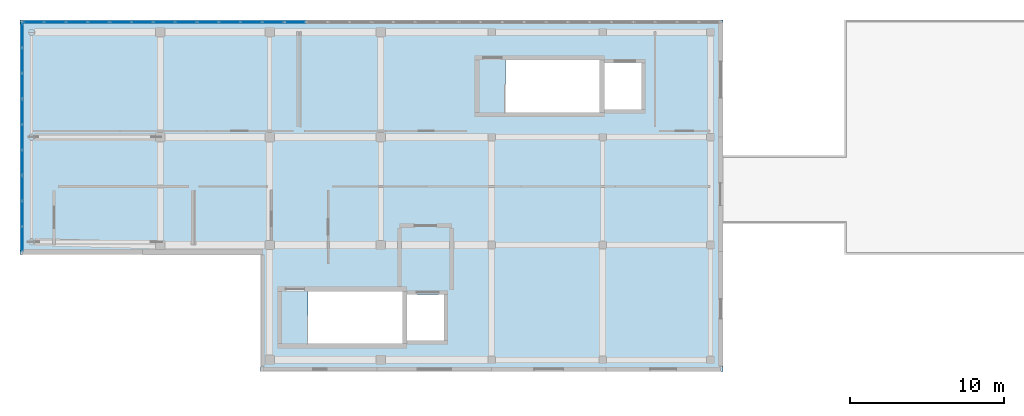
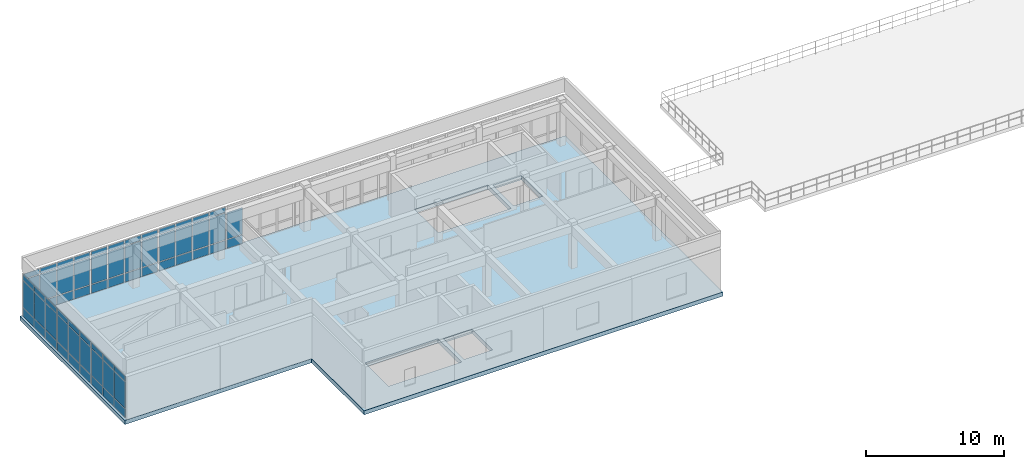
# One storey, part 11 of 14: 65 plates, 1 slab, 7 elements without a shape of their own.
"""IFC4 building model written with IfcOpenShell, lengths in metres."""

from ifc_helpers import new_model, si_unit, direction, frame, origin, origin_2d, place, context, subcontext, project, spatial, polyline, rectangle, outline, extrude, material, layer, layer_set, type_object, element, aggregate, save


model = new_model("IFC4")

# Units and contexts
model_context = context("Model", 3, precision=1e-05, world=origin(), true_north=direction((0.0, 1.0)))
body_context = subcontext(model_context, "Body", "Model", "MODEL_VIEW")
ifc_project = project(units=[si_unit("LENGTHUNIT", "METRE"), si_unit("AREAUNIT", "SQUARE_METRE"), si_unit("VOLUMEUNIT", "CUBIC_METRE"), si_unit("PLANEANGLEUNIT", "RADIAN"), si_unit("MASSUNIT", "GRAM", prefix="KILO")], contexts=[model_context])

# Site, building, storey
site_placement = place(None, origin())
site = spatial("IfcSite", under=ifc_project, at=site_placement, CompositionType="ELEMENT")
building_placement = place(site_placement, origin())
building = spatial("IfcBuilding", under=site, at=building_placement, Name="Valcora Specialist Clinic", CompositionType="ELEMENT")
storey_placement = place(building_placement, frame((0.0, 0.0, 21.760009765625)))
storey = spatial("IfcBuildingStorey", under=building, at=storey_placement, Name="L05", CompositionType="ELEMENT", Elevation=21.760009765625)

# Curtain wall, plates
ifc_material_1 = material(Name="Anodized Bronze Aluminium 6063-T6", Category="aluminium")
ifc_layer_1 = layer(ifc_material_1, 0.175048828125)
ifc_layer_set_1 = layer_set([ifc_layer_1], Name="Anodized Bronze Aluminium 6063-T6")
curtain_wall_type = type_object("IfcCurtainWallType", Name="TY-CW-V5F15", PredefinedType="NOTDEFINED", material=ifc_layer_set_1)
curtain_wall_1_placement = place(storey_placement, origin())
curtain_wall_1 = element("IfcCurtainWall", 1, at=curtain_wall_1_placement, inside=storey, type_object=curtain_wall_type, Name="Curtain wall CW-L05-176", PredefinedType="NOTDEFINED")
ifc_material_2 = material(Name="Low-E Laminated Insulating Glass", Category="glass")
ifc_layer_2 = layer(ifc_material_2, 0.028076171875)
ifc_layer_set_2 = layer_set([ifc_layer_2], Name="Low-E Laminated Insulating Glass")
plate_type_1 = type_object("IfcPlateType", Name="TY-CWP-GLZ28", PredefinedType="CURTAIN_PANEL", material=ifc_layer_set_2)
plate_1_placement = place(storey_placement, frame((0.14990234375, 13.560791015625, 0.88232421875), z_axis=(0.0, 0.0, 1.0), x_axis=(0.0, 1.0, 0.0)))
plate_1 = element("IfcPlate", 2, at=plate_1_placement, type_object=plate_type_1, Name="CW-V5F-15 panel 1.2", PredefinedType="CURTAIN_PANEL", context=body_context, shape_type="SweptSolid", body=[
    extrude(rectangle(XDim=1.55810546875, YDim=0.028076171875, at=origin_2d()), origin(), (0.0, 0.0, 1.0), 2.344970703125),
])
plate_2_placement = place(storey_placement, frame((0.14990234375, 13.560791015625, 3.29248046875), z_axis=(0.0, 0.0, 1.0), x_axis=(0.0, 1.0, 0.0)))
plate_2 = element("IfcPlate", 3, at=plate_2_placement, type_object=plate_type_1, Name="CW-V5F-15 panel 1.3", PredefinedType="CURTAIN_PANEL", context=body_context, shape_type="SweptSolid", body=[
    extrude(rectangle(XDim=1.55810546875, YDim=0.028076171875, at=origin_2d()), origin(), (0.0, 0.0, 1.0), 0.452392578125),
])
plate_3_placement = place(storey_placement, frame((0.14990234375, 15.199951171875, 0.88232421875), z_axis=(0.0, 0.0, 1.0), x_axis=(0.0, 1.0, 0.0)))
plate_3 = element("IfcPlate", 4, at=plate_3_placement, type_object=plate_type_1, Name="CW-V5F-15 panel 2.2", PredefinedType="CURTAIN_PANEL", context=body_context, shape_type="SweptSolid", body=[
    extrude(rectangle(XDim=1.590576171875, YDim=0.028076171875, at=origin_2d()), origin(), (0.0, 0.0, 1.0), 2.344970703125),
])
plate_4_placement = place(storey_placement, frame((0.14990234375, 15.199951171875, 3.29248046875), z_axis=(0.0, 0.0, 1.0), x_axis=(0.0, 1.0, 0.0)))
plate_4 = element("IfcPlate", 5, at=plate_4_placement, type_object=plate_type_1, Name="CW-V5F-15 panel 2.3", PredefinedType="CURTAIN_PANEL", context=body_context, shape_type="SweptSolid", body=[
    extrude(rectangle(XDim=1.590576171875, YDim=0.028076171875, at=origin_2d()), origin(), (0.0, 0.0, 1.0), 0.452392578125),
])
plate_5_placement = place(storey_placement, frame((0.14990234375, 16.83935546875, 0.88232421875), z_axis=(0.0, 0.0, 1.0), x_axis=(0.0, 1.0, 0.0)))
plate_5 = element("IfcPlate", 6, at=plate_5_placement, type_object=plate_type_1, Name="CW-V5F-15 panel 3.2", PredefinedType="CURTAIN_PANEL", context=body_context, shape_type="SweptSolid", body=[
    extrude(rectangle(XDim=1.55810546875, YDim=0.028076171875, at=origin_2d()), origin(), (0.0, 0.0, 1.0), 2.344970703125),
])
plate_6_placement = place(storey_placement, frame((0.14990234375, 16.83935546875, 3.29248046875), z_axis=(0.0, 0.0, 1.0), x_axis=(0.0, 1.0, 0.0)))
plate_6 = element("IfcPlate", 7, at=plate_6_placement, type_object=plate_type_1, Name="CW-V5F-15 panel 3.3", PredefinedType="CURTAIN_PANEL", context=body_context, shape_type="SweptSolid", body=[
    extrude(rectangle(XDim=1.55810546875, YDim=0.028076171875, at=origin_2d()), origin(), (0.0, 0.0, 1.0), 0.452392578125),
])

curtain_wall_2_placement = place(storey_placement, origin())
curtain_wall_2 = element("IfcCurtainWall", 8, at=curtain_wall_2_placement, inside=storey, type_object=curtain_wall_type, Name="Curtain wall CW-L05-178", PredefinedType="NOTDEFINED")
plate_7_placement = place(storey_placement, frame((0.8740234375, 22.64990234375, 0.88232421875), z_axis=(0.0, 0.0, 1.0), x_axis=(1.0, 0.0, 0.0)))
plate_7 = element("IfcPlate", 9, at=plate_7_placement, type_object=plate_type_1, Name="CW-V5F-15 panel 1.2", PredefinedType="CURTAIN_PANEL", context=body_context, shape_type="SweptSolid", body=[
    extrude(rectangle(XDim=1.318115234375, YDim=0.028076171875, at=origin_2d()), origin(), (0.0, 0.0, 1.0), 2.344970703125),
])
plate_8_placement = place(storey_placement, frame((0.8740234375, 22.64990234375, 3.29248046875), z_axis=(0.0, 0.0, 1.0), x_axis=(1.0, 0.0, 0.0)))
plate_8 = element("IfcPlate", 10, at=plate_8_placement, type_object=plate_type_1, Name="CW-V5F-15 panel 1.3", PredefinedType="CURTAIN_PANEL", context=body_context, shape_type="SweptSolid", body=[
    extrude(rectangle(XDim=1.318115234375, YDim=0.028076171875, at=origin_2d()), origin(), (0.0, 0.0, 1.0), 0.452392578125),
])
plate_9_placement = place(storey_placement, frame((2.2734375, 22.64990234375, 0.88232421875), z_axis=(0.0, 0.0, 1.0), x_axis=(1.0, 0.0, 0.0)))
plate_9 = element("IfcPlate", 11, at=plate_9_placement, type_object=plate_type_1, Name="CW-V5F-15 panel 2.2", PredefinedType="CURTAIN_PANEL", context=body_context, shape_type="SweptSolid", body=[
    extrude(rectangle(XDim=1.3505859375, YDim=0.028076171875, at=origin_2d()), origin(), (0.0, 0.0, 1.0), 2.344970703125),
])
plate_10_placement = place(storey_placement, frame((2.2734375, 22.64990234375, 3.29248046875), z_axis=(0.0, 0.0, 1.0), x_axis=(1.0, 0.0, 0.0)))
plate_10 = element("IfcPlate", 12, at=plate_10_placement, type_object=plate_type_1, Name="CW-V5F-15 panel 2.3", PredefinedType="CURTAIN_PANEL", context=body_context, shape_type="SweptSolid", body=[
    extrude(rectangle(XDim=1.3505859375, YDim=0.028076171875, at=origin_2d()), origin(), (0.0, 0.0, 1.0), 0.452392578125),
])
plate_11_placement = place(storey_placement, frame((3.68896484375, 22.64990234375, 0.88232421875), z_axis=(0.0, 0.0, 1.0), x_axis=(1.0, 0.0, 0.0)))
plate_11 = element("IfcPlate", 13, at=plate_11_placement, type_object=plate_type_1, Name="CW-V5F-15 panel 3.2", PredefinedType="CURTAIN_PANEL", context=body_context, shape_type="SweptSolid", body=[
    extrude(rectangle(XDim=1.3505859375, YDim=0.028076171875, at=origin_2d()), origin(), (0.0, 0.0, 1.0), 2.344970703125),
])
plate_12_placement = place(storey_placement, frame((3.68896484375, 22.64990234375, 3.29248046875), z_axis=(0.0, 0.0, 1.0), x_axis=(1.0, 0.0, 0.0)))
plate_12 = element("IfcPlate", 14, at=plate_12_placement, type_object=plate_type_1, Name="CW-V5F-15 panel 3.3", PredefinedType="CURTAIN_PANEL", context=body_context, shape_type="SweptSolid", body=[
    extrude(rectangle(XDim=1.3505859375, YDim=0.028076171875, at=origin_2d()), origin(), (0.0, 0.0, 1.0), 0.452392578125),
])
plate_13_placement = place(storey_placement, frame((5.08837890625, 22.64990234375, 0.88232421875), z_axis=(0.0, 0.0, 1.0), x_axis=(1.0, 0.0, 0.0)))
plate_13 = element("IfcPlate", 15, at=plate_13_placement, type_object=plate_type_1, Name="CW-V5F-15 panel 4.2", PredefinedType="CURTAIN_PANEL", context=body_context, shape_type="SweptSolid", body=[
    extrude(rectangle(XDim=1.318115234375, YDim=0.028076171875, at=origin_2d()), origin(), (0.0, 0.0, 1.0), 2.344970703125),
])
plate_14_placement = place(storey_placement, frame((5.08837890625, 22.64990234375, 3.29248046875), z_axis=(0.0, 0.0, 1.0), x_axis=(1.0, 0.0, 0.0)))
plate_14 = element("IfcPlate", 16, at=plate_14_placement, type_object=plate_type_1, Name="CW-V5F-15 panel 4.3", PredefinedType="CURTAIN_PANEL", context=body_context, shape_type="SweptSolid", body=[
    extrude(rectangle(XDim=1.318115234375, YDim=0.028076171875, at=origin_2d()), origin(), (0.0, 0.0, 1.0), 0.452392578125),
])

curtain_wall_3_placement = place(storey_placement, origin())
curtain_wall_3 = element("IfcCurtainWall", 17, at=curtain_wall_3_placement, inside=storey, type_object=curtain_wall_type, Name="Curtain wall CW-L05-180", PredefinedType="NOTDEFINED")
plate_15_placement = place(storey_placement, frame((12.198974609375, 22.64990234375, 0.88232421875), z_axis=(0.0, 0.0, 1.0), x_axis=(1.0, 0.0, 0.0)))
plate_15 = element("IfcPlate", 18, at=plate_15_placement, type_object=plate_type_1, Name="CW-V5F-15 panel 1.2", PredefinedType="CURTAIN_PANEL", context=body_context, shape_type="SweptSolid", body=[
    extrude(rectangle(XDim=1.318115234375, YDim=0.028076171875, at=origin_2d()), origin(), (0.0, 0.0, 1.0), 2.344970703125),
])
plate_16_placement = place(storey_placement, frame((12.198974609375, 22.64990234375, 3.29248046875), z_axis=(0.0, 0.0, 1.0), x_axis=(1.0, 0.0, 0.0)))
plate_16 = element("IfcPlate", 19, at=plate_16_placement, type_object=plate_type_1, Name="CW-V5F-15 panel 1.3", PredefinedType="CURTAIN_PANEL", context=body_context, shape_type="SweptSolid", body=[
    extrude(rectangle(XDim=1.318115234375, YDim=0.028076171875, at=origin_2d()), origin(), (0.0, 0.0, 1.0), 0.452392578125),
])
plate_17_placement = place(storey_placement, frame((13.598388671875, 22.64990234375, 0.88232421875), z_axis=(0.0, 0.0, 1.0), x_axis=(1.0, 0.0, 0.0)))
plate_17 = element("IfcPlate", 20, at=plate_17_placement, type_object=plate_type_1, Name="CW-V5F-15 panel 2.2", PredefinedType="CURTAIN_PANEL", context=body_context, shape_type="SweptSolid", body=[
    extrude(rectangle(XDim=1.3505859375, YDim=0.028076171875, at=origin_2d()), origin(), (0.0, 0.0, 1.0), 2.344970703125),
])
plate_18_placement = place(storey_placement, frame((13.598388671875, 22.64990234375, 3.29248046875), z_axis=(0.0, 0.0, 1.0), x_axis=(1.0, 0.0, 0.0)))
plate_18 = element("IfcPlate", 21, at=plate_18_placement, type_object=plate_type_1, Name="CW-V5F-15 panel 2.3", PredefinedType="CURTAIN_PANEL", context=body_context, shape_type="SweptSolid", body=[
    extrude(rectangle(XDim=1.3505859375, YDim=0.028076171875, at=origin_2d()), origin(), (0.0, 0.0, 1.0), 0.452392578125),
])
plate_19_placement = place(storey_placement, frame((15.01416015625, 22.64990234375, 0.88232421875), z_axis=(0.0, 0.0, 1.0), x_axis=(1.0, 0.0, 0.0)))
plate_19 = element("IfcPlate", 22, at=plate_19_placement, type_object=plate_type_1, Name="CW-V5F-15 panel 3.2", PredefinedType="CURTAIN_PANEL", context=body_context, shape_type="SweptSolid", body=[
    extrude(rectangle(XDim=1.3505859375, YDim=0.028076171875, at=origin_2d()), origin(), (0.0, 0.0, 1.0), 2.344970703125),
])
plate_20_placement = place(storey_placement, frame((15.01416015625, 22.64990234375, 3.29248046875), z_axis=(0.0, 0.0, 1.0), x_axis=(1.0, 0.0, 0.0)))
plate_20 = element("IfcPlate", 23, at=plate_20_placement, type_object=plate_type_1, Name="CW-V5F-15 panel 3.3", PredefinedType="CURTAIN_PANEL", context=body_context, shape_type="SweptSolid", body=[
    extrude(rectangle(XDim=1.3505859375, YDim=0.028076171875, at=origin_2d()), origin(), (0.0, 0.0, 1.0), 0.452392578125),
])
plate_21_placement = place(storey_placement, frame((16.413330078125, 22.64990234375, 0.88232421875), z_axis=(0.0, 0.0, 1.0), x_axis=(1.0, 0.0, 0.0)))
plate_21 = element("IfcPlate", 24, at=plate_21_placement, type_object=plate_type_1, Name="CW-V5F-15 panel 4.2", PredefinedType="CURTAIN_PANEL", context=body_context, shape_type="SweptSolid", body=[
    extrude(rectangle(XDim=1.318115234375, YDim=0.028076171875, at=origin_2d()), origin(), (0.0, 0.0, 1.0), 2.344970703125),
])
plate_22_placement = place(storey_placement, frame((16.413330078125, 22.64990234375, 3.29248046875), z_axis=(0.0, 0.0, 1.0), x_axis=(1.0, 0.0, 0.0)))
plate_22 = element("IfcPlate", 25, at=plate_22_placement, type_object=plate_type_1, Name="CW-V5F-15 panel 4.3", PredefinedType="CURTAIN_PANEL", context=body_context, shape_type="SweptSolid", body=[
    extrude(rectangle(XDim=1.318115234375, YDim=0.028076171875, at=origin_2d()), origin(), (0.0, 0.0, 1.0), 0.452392578125),
])

curtain_wall_4_placement = place(storey_placement, origin())
curtain_wall_4 = element("IfcCurtainWall", 26, at=curtain_wall_4_placement, inside=storey, type_object=curtain_wall_type, Name="Curtain wall CW-L05-175", PredefinedType="NOTDEFINED")
ifc_layer_3 = layer(ifc_material_2, 0.033935546875)
ifc_layer_set_3 = layer_set([ifc_layer_3], Name="Low-E Laminated Insulating Glass")
plate_type_2 = type_object("IfcPlateType", Name="TY-CWP-GLZ34", PredefinedType="CURTAIN_PANEL", material=ifc_layer_set_3)
plate_23_placement = place(storey_placement, frame((0.14990234375, 8.593994140625, 0.88232421875), z_axis=(0.0, 0.0, 1.0), x_axis=(0.0, 1.0, 0.0)))
plate_23 = element("IfcPlate", 27, at=plate_23_placement, type_object=plate_type_2, Name="CW-V5F-15 panel 1.2", PredefinedType="CURTAIN_PANEL", context=body_context, shape_type="SweptSolid", body=[
    extrude(rectangle(XDim=1.55810546875, YDim=0.033935546875, at=origin_2d()), origin(), (0.0, 0.0, 1.0), 2.344970703125),
])
plate_24_placement = place(storey_placement, frame((0.14990234375, 8.593994140625, 3.29248046875), z_axis=(0.0, 0.0, 1.0), x_axis=(0.0, 1.0, 0.0)))
plate_24 = element("IfcPlate", 28, at=plate_24_placement, type_object=plate_type_2, Name="CW-V5F-15 panel 1.3", PredefinedType="CURTAIN_PANEL", context=body_context, shape_type="SweptSolid", body=[
    extrude(rectangle(XDim=1.55810546875, YDim=0.033935546875, at=origin_2d()), origin(), (0.0, 0.0, 1.0), 0.452392578125),
])
plate_25_placement = place(storey_placement, frame((0.14990234375, 10.2333984375, 0.88232421875), z_axis=(0.0, 0.0, 1.0), x_axis=(0.0, 1.0, 0.0)))
plate_25 = element("IfcPlate", 29, at=plate_25_placement, type_object=plate_type_2, Name="CW-V5F-15 panel 2.2", PredefinedType="CURTAIN_PANEL", context=body_context, shape_type="SweptSolid", body=[
    extrude(rectangle(XDim=1.590576171875, YDim=0.033935546875, at=origin_2d()), origin(), (0.0, 0.0, 1.0), 2.344970703125),
])
plate_26_placement = place(storey_placement, frame((0.14990234375, 10.2333984375, 3.29248046875), z_axis=(0.0, 0.0, 1.0), x_axis=(0.0, 1.0, 0.0)))
plate_26 = element("IfcPlate", 30, at=plate_26_placement, type_object=plate_type_2, Name="CW-V5F-15 panel 2.3", PredefinedType="CURTAIN_PANEL", context=body_context, shape_type="SweptSolid", body=[
    extrude(rectangle(XDim=1.590576171875, YDim=0.033935546875, at=origin_2d()), origin(), (0.0, 0.0, 1.0), 0.452392578125),
])
plate_27_placement = place(storey_placement, frame((0.14990234375, 11.87255859375, 0.88232421875), z_axis=(0.0, 0.0, 1.0), x_axis=(0.0, 1.0, 0.0)))
plate_27 = element("IfcPlate", 31, at=plate_27_placement, type_object=plate_type_2, Name="CW-V5F-15 panel 3.2", PredefinedType="CURTAIN_PANEL", context=body_context, shape_type="SweptSolid", body=[
    extrude(rectangle(XDim=1.55810546875, YDim=0.033935546875, at=origin_2d()), origin(), (0.0, 0.0, 1.0), 2.344970703125),
])
plate_28_placement = place(storey_placement, frame((0.14990234375, 11.87255859375, 3.29248046875), z_axis=(0.0, 0.0, 1.0), x_axis=(0.0, 1.0, 0.0)))
plate_28 = element("IfcPlate", 32, at=plate_28_placement, type_object=plate_type_2, Name="CW-V5F-15 panel 3.3", PredefinedType="CURTAIN_PANEL", context=body_context, shape_type="SweptSolid", body=[
    extrude(rectangle(XDim=1.55810546875, YDim=0.033935546875, at=origin_2d()), origin(), (0.0, 0.0, 1.0), 0.452392578125),
])

curtain_wall_5_placement = place(storey_placement, origin())
curtain_wall_5 = element("IfcCurtainWall", 33, at=curtain_wall_5_placement, inside=storey, type_object=curtain_wall_type, Name="Curtain wall CW-L05-177", PredefinedType="NOTDEFINED")
plate_29_placement = place(storey_placement, frame((0.14990234375, 18.52734375, 0.88232421875), z_axis=(0.0, 0.0, 1.0), x_axis=(0.0, 1.0, 0.0)))
plate_29 = element("IfcPlate", 34, at=plate_29_placement, type_object=plate_type_2, Name="CW-V5F-15 panel 1.2", PredefinedType="CURTAIN_PANEL", context=body_context, shape_type="SweptSolid", body=[
    extrude(rectangle(XDim=1.55810546875, YDim=0.033935546875, at=origin_2d()), origin(), (0.0, 0.0, 1.0), 2.344970703125),
])
plate_30_placement = place(storey_placement, frame((0.14990234375, 18.52734375, 3.29248046875), z_axis=(0.0, 0.0, 1.0), x_axis=(0.0, 1.0, 0.0)))
plate_30 = element("IfcPlate", 35, at=plate_30_placement, type_object=plate_type_2, Name="CW-V5F-15 panel 1.3", PredefinedType="CURTAIN_PANEL", context=body_context, shape_type="SweptSolid", body=[
    extrude(rectangle(XDim=1.55810546875, YDim=0.033935546875, at=origin_2d()), origin(), (0.0, 0.0, 1.0), 0.452392578125),
])
plate_31_placement = place(storey_placement, frame((0.14990234375, 20.166748046875, 0.88232421875), z_axis=(0.0, 0.0, 1.0), x_axis=(0.0, 1.0, 0.0)))
plate_31 = element("IfcPlate", 36, at=plate_31_placement, type_object=plate_type_2, Name="CW-V5F-15 panel 2.2", PredefinedType="CURTAIN_PANEL", context=body_context, shape_type="SweptSolid", body=[
    extrude(rectangle(XDim=1.590576171875, YDim=0.033935546875, at=origin_2d()), origin(), (0.0, 0.0, 1.0), 2.344970703125),
])
plate_32_placement = place(storey_placement, frame((0.14990234375, 20.166748046875, 3.29248046875), z_axis=(0.0, 0.0, 1.0), x_axis=(0.0, 1.0, 0.0)))
plate_32 = element("IfcPlate", 37, at=plate_32_placement, type_object=plate_type_2, Name="CW-V5F-15 panel 2.3", PredefinedType="CURTAIN_PANEL", context=body_context, shape_type="SweptSolid", body=[
    extrude(rectangle(XDim=1.590576171875, YDim=0.033935546875, at=origin_2d()), origin(), (0.0, 0.0, 1.0), 0.452392578125),
])
plate_33_placement = place(storey_placement, frame((0.14990234375, 21.805908203125, 0.88232421875), z_axis=(0.0, 0.0, 1.0), x_axis=(0.0, 1.0, 0.0)))
plate_33 = element("IfcPlate", 38, at=plate_33_placement, type_object=plate_type_2, Name="CW-V5F-15 panel 3.2", PredefinedType="CURTAIN_PANEL", context=body_context, shape_type="SweptSolid", body=[
    extrude(rectangle(XDim=1.55810546875, YDim=0.033935546875, at=origin_2d()), origin(), (0.0, 0.0, 1.0), 2.344970703125),
])
plate_34_placement = place(storey_placement, frame((0.14990234375, 21.805908203125, 3.29248046875), z_axis=(0.0, 0.0, 1.0), x_axis=(0.0, 1.0, 0.0)))
plate_34 = element("IfcPlate", 39, at=plate_34_placement, type_object=plate_type_2, Name="CW-V5F-15 panel 3.3", PredefinedType="CURTAIN_PANEL", context=body_context, shape_type="SweptSolid", body=[
    extrude(rectangle(XDim=1.55810546875, YDim=0.033935546875, at=origin_2d()), origin(), (0.0, 0.0, 1.0), 0.452392578125),
])

curtain_wall_6_placement = place(storey_placement, origin())
curtain_wall_6 = element("IfcCurtainWall", 40, at=curtain_wall_6_placement, inside=storey, type_object=curtain_wall_type, Name="Curtain wall CW-L05-179", PredefinedType="NOTDEFINED")
plate_35_placement = place(storey_placement, frame((6.53662109375, 22.64990234375, 0.88232421875), z_axis=(0.0, 0.0, 1.0), x_axis=(1.0, 0.0, 0.0)))
plate_35 = element("IfcPlate", 41, at=plate_35_placement, type_object=plate_type_2, Name="CW-V5F-15 panel 1.2", PredefinedType="CURTAIN_PANEL", context=body_context, shape_type="SweptSolid", body=[
    extrude(rectangle(XDim=1.318115234375, YDim=0.033935546875, at=origin_2d()), origin(), (0.0, 0.0, 1.0), 2.344970703125),
])
plate_36_placement = place(storey_placement, frame((6.53662109375, 22.64990234375, 3.29248046875), z_axis=(0.0, 0.0, 1.0), x_axis=(1.0, 0.0, 0.0)))
plate_36 = element("IfcPlate", 42, at=plate_36_placement, type_object=plate_type_2, Name="CW-V5F-15 panel 1.3", PredefinedType="CURTAIN_PANEL", context=body_context, shape_type="SweptSolid", body=[
    extrude(rectangle(XDim=1.318115234375, YDim=0.033935546875, at=origin_2d()), origin(), (0.0, 0.0, 1.0), 0.452392578125),
])
plate_37_placement = place(storey_placement, frame((7.93603515625, 22.64990234375, 0.88232421875), z_axis=(0.0, 0.0, 1.0), x_axis=(1.0, 0.0, 0.0)))
plate_37 = element("IfcPlate", 43, at=plate_37_placement, type_object=plate_type_2, Name="CW-V5F-15 panel 2.2", PredefinedType="CURTAIN_PANEL", context=body_context, shape_type="SweptSolid", body=[
    extrude(rectangle(XDim=1.3505859375, YDim=0.033935546875, at=origin_2d()), origin(), (0.0, 0.0, 1.0), 2.344970703125),
])
plate_38_placement = place(storey_placement, frame((7.93603515625, 22.64990234375, 3.29248046875), z_axis=(0.0, 0.0, 1.0), x_axis=(1.0, 0.0, 0.0)))
plate_38 = element("IfcPlate", 44, at=plate_38_placement, type_object=plate_type_2, Name="CW-V5F-15 panel 2.3", PredefinedType="CURTAIN_PANEL", context=body_context, shape_type="SweptSolid", body=[
    extrude(rectangle(XDim=1.3505859375, YDim=0.033935546875, at=origin_2d()), origin(), (0.0, 0.0, 1.0), 0.452392578125),
])
plate_39_placement = place(storey_placement, frame((9.3515625, 22.64990234375, 0.88232421875), z_axis=(0.0, 0.0, 1.0), x_axis=(1.0, 0.0, 0.0)))
plate_39 = element("IfcPlate", 45, at=plate_39_placement, type_object=plate_type_2, Name="CW-V5F-15 panel 3.2", PredefinedType="CURTAIN_PANEL", context=body_context, shape_type="SweptSolid", body=[
    extrude(rectangle(XDim=1.3505859375, YDim=0.033935546875, at=origin_2d()), origin(), (0.0, 0.0, 1.0), 2.344970703125),
])
plate_40_placement = place(storey_placement, frame((9.3515625, 22.64990234375, 3.29248046875), z_axis=(0.0, 0.0, 1.0), x_axis=(1.0, 0.0, 0.0)))
plate_40 = element("IfcPlate", 46, at=plate_40_placement, type_object=plate_type_2, Name="CW-V5F-15 panel 3.3", PredefinedType="CURTAIN_PANEL", context=body_context, shape_type="SweptSolid", body=[
    extrude(rectangle(XDim=1.3505859375, YDim=0.033935546875, at=origin_2d()), origin(), (0.0, 0.0, 1.0), 0.452392578125),
])
plate_41_placement = place(storey_placement, frame((10.7509765625, 22.64990234375, 0.88232421875), z_axis=(0.0, 0.0, 1.0), x_axis=(1.0, 0.0, 0.0)))
plate_41 = element("IfcPlate", 47, at=plate_41_placement, type_object=plate_type_2, Name="CW-V5F-15 panel 4.2", PredefinedType="CURTAIN_PANEL", context=body_context, shape_type="SweptSolid", body=[
    extrude(rectangle(XDim=1.318115234375, YDim=0.033935546875, at=origin_2d()), origin(), (0.0, 0.0, 1.0), 2.344970703125),
])
plate_42_placement = place(storey_placement, frame((10.7509765625, 22.64990234375, 3.29248046875), z_axis=(0.0, 0.0, 1.0), x_axis=(1.0, 0.0, 0.0)))
plate_42 = element("IfcPlate", 48, at=plate_42_placement, type_object=plate_type_2, Name="CW-V5F-15 panel 4.3", PredefinedType="CURTAIN_PANEL", context=body_context, shape_type="SweptSolid", body=[
    extrude(rectangle(XDim=1.318115234375, YDim=0.033935546875, at=origin_2d()), origin(), (0.0, 0.0, 1.0), 0.452392578125),
])

# Curtain wall, plate
curtain_wall_7_placement = place(storey_placement, origin())
curtain_wall_7 = element("IfcCurtainWall", 49, at=curtain_wall_7_placement, inside=storey, type_object=curtain_wall_type, Name="Curtain wall CW-L05-181", PredefinedType="NOTDEFINED")
plate_43_placement = place(storey_placement, frame((17.861572265625, 22.64990234375, 0.88232421875), z_axis=(0.0, 0.0, 1.0), x_axis=(1.0, 0.0, 0.0)))
plate_43 = element("IfcPlate", 50, at=plate_43_placement, type_object=plate_type_2, Name="CW-V5F-15 panel 1.2", PredefinedType="CURTAIN_PANEL", context=body_context, shape_type="SweptSolid", body=[
    extrude(rectangle(XDim=1.318115234375, YDim=0.033935546875, at=origin_2d()), origin(), (0.0, 0.0, 1.0), 2.344970703125),
])

# Plate
ifc_material_3 = material(Name="Insulated Spandrel Panel")
ifc_layer_4 = layer(ifc_material_3, 0.044921875)
ifc_layer_set_4 = layer_set([ifc_layer_4], Name="Insulated Spandrel Panel")
plate_type_3 = type_object("IfcPlateType", Name="TY-CWP-SPN45", PredefinedType="SHEET", material=ifc_layer_set_4)
plate_44_placement = place(storey_placement, frame((0.14990234375, 8.593994140625, 0.06494140625), z_axis=(0.0, 0.0, 1.0), x_axis=(0.0, 1.0, 0.0)))
plate_44 = element("IfcPlate", 51, at=plate_44_placement, type_object=plate_type_3, Name="CW-V5F-15 panel 1.1", PredefinedType="SHEET", context=body_context, shape_type="SweptSolid", body=[
    extrude(rectangle(XDim=1.55810546875, YDim=0.044921875, at=origin_2d()), origin(), (0.0, 0.0, 1.0), 0.75244140625),
])

plate_45_placement = place(storey_placement, frame((0.14990234375, 10.2333984375, 0.06494140625), z_axis=(0.0, 0.0, 1.0), x_axis=(0.0, 1.0, 0.0)))
plate_45 = element("IfcPlate", 52, at=plate_45_placement, type_object=plate_type_3, Name="CW-V5F-15 panel 2.1", PredefinedType="SHEET", context=body_context, shape_type="SweptSolid", body=[
    extrude(rectangle(XDim=1.590576171875, YDim=0.044921875, at=origin_2d()), origin(), (0.0, 0.0, 1.0), 0.75244140625),
])

plate_46_placement = place(storey_placement, frame((0.14990234375, 11.87255859375, 0.06494140625), z_axis=(0.0, 0.0, 1.0), x_axis=(0.0, 1.0, 0.0)))
plate_46 = element("IfcPlate", 53, at=plate_46_placement, type_object=plate_type_3, Name="CW-V5F-15 panel 3.1", PredefinedType="SHEET", context=body_context, shape_type="SweptSolid", body=[
    extrude(rectangle(XDim=1.55810546875, YDim=0.044921875, at=origin_2d()), origin(), (0.0, 0.0, 1.0), 0.75244140625),
])

aggregate(curtain_wall_4, [plate_44, plate_23, plate_24, plate_45, plate_25, plate_26, plate_46, plate_27, plate_28])

plate_47_placement = place(storey_placement, frame((0.14990234375, 13.560791015625, 0.06494140625), z_axis=(0.0, 0.0, 1.0), x_axis=(0.0, 1.0, 0.0)))
plate_47 = element("IfcPlate", 54, at=plate_47_placement, type_object=plate_type_3, Name="CW-V5F-15 panel 1.1", PredefinedType="SHEET", context=body_context, shape_type="SweptSolid", body=[
    extrude(rectangle(XDim=1.55810546875, YDim=0.044921875, at=origin_2d()), origin(), (0.0, 0.0, 1.0), 0.75244140625),
])

plate_48_placement = place(storey_placement, frame((0.14990234375, 15.199951171875, 0.06494140625), z_axis=(0.0, 0.0, 1.0), x_axis=(0.0, 1.0, 0.0)))
plate_48 = element("IfcPlate", 55, at=plate_48_placement, type_object=plate_type_3, Name="CW-V5F-15 panel 2.1", PredefinedType="SHEET", context=body_context, shape_type="SweptSolid", body=[
    extrude(rectangle(XDim=1.590576171875, YDim=0.044921875, at=origin_2d()), origin(), (0.0, 0.0, 1.0), 0.75244140625),
])

plate_49_placement = place(storey_placement, frame((0.14990234375, 16.83935546875, 0.06494140625), z_axis=(0.0, 0.0, 1.0), x_axis=(0.0, 1.0, 0.0)))
plate_49 = element("IfcPlate", 56, at=plate_49_placement, type_object=plate_type_3, Name="CW-V5F-15 panel 3.1", PredefinedType="SHEET", context=body_context, shape_type="SweptSolid", body=[
    extrude(rectangle(XDim=1.55810546875, YDim=0.044921875, at=origin_2d()), origin(), (0.0, 0.0, 1.0), 0.75244140625),
])

aggregate(curtain_wall_1, [plate_47, plate_1, plate_2, plate_48, plate_3, plate_4, plate_49, plate_5, plate_6])

plate_50_placement = place(storey_placement, frame((0.14990234375, 18.52734375, 0.06494140625), z_axis=(0.0, 0.0, 1.0), x_axis=(0.0, 1.0, 0.0)))
plate_50 = element("IfcPlate", 57, at=plate_50_placement, type_object=plate_type_3, Name="CW-V5F-15 panel 1.1", PredefinedType="SHEET", context=body_context, shape_type="SweptSolid", body=[
    extrude(rectangle(XDim=1.55810546875, YDim=0.044921875, at=origin_2d()), origin(), (0.0, 0.0, 1.0), 0.75244140625),
])

plate_51_placement = place(storey_placement, frame((0.14990234375, 20.166748046875, 0.06494140625), z_axis=(0.0, 0.0, 1.0), x_axis=(0.0, 1.0, 0.0)))
plate_51 = element("IfcPlate", 58, at=plate_51_placement, type_object=plate_type_3, Name="CW-V5F-15 panel 2.1", PredefinedType="SHEET", context=body_context, shape_type="SweptSolid", body=[
    extrude(rectangle(XDim=1.590576171875, YDim=0.044921875, at=origin_2d()), origin(), (0.0, 0.0, 1.0), 0.75244140625),
])

plate_52_placement = place(storey_placement, frame((0.14990234375, 21.805908203125, 0.06494140625), z_axis=(0.0, 0.0, 1.0), x_axis=(0.0, 1.0, 0.0)))
plate_52 = element("IfcPlate", 59, at=plate_52_placement, type_object=plate_type_3, Name="CW-V5F-15 panel 3.1", PredefinedType="SHEET", context=body_context, shape_type="SweptSolid", body=[
    extrude(rectangle(XDim=1.55810546875, YDim=0.044921875, at=origin_2d()), origin(), (0.0, 0.0, 1.0), 0.75244140625),
])

aggregate(curtain_wall_5, [plate_50, plate_29, plate_30, plate_51, plate_31, plate_32, plate_52, plate_33, plate_34])

plate_53_placement = place(storey_placement, frame((0.8740234375, 22.64990234375, 0.06494140625), z_axis=(0.0, 0.0, 1.0), x_axis=(1.0, 0.0, 0.0)))
plate_53 = element("IfcPlate", 60, at=plate_53_placement, type_object=plate_type_3, Name="CW-V5F-15 panel 1.1", PredefinedType="SHEET", context=body_context, shape_type="SweptSolid", body=[
    extrude(rectangle(XDim=1.318115234375, YDim=0.044921875, at=origin_2d()), origin(), (0.0, 0.0, 1.0), 0.75244140625),
])

plate_54_placement = place(storey_placement, frame((2.2734375, 22.64990234375, 0.06494140625), z_axis=(0.0, 0.0, 1.0), x_axis=(1.0, 0.0, 0.0)))
plate_54 = element("IfcPlate", 61, at=plate_54_placement, type_object=plate_type_3, Name="CW-V5F-15 panel 2.1", PredefinedType="SHEET", context=body_context, shape_type="SweptSolid", body=[
    extrude(rectangle(XDim=1.3505859375, YDim=0.044921875, at=origin_2d()), origin(), (0.0, 0.0, 1.0), 0.75244140625),
])

plate_55_placement = place(storey_placement, frame((3.68896484375, 22.64990234375, 0.06494140625), z_axis=(0.0, 0.0, 1.0), x_axis=(1.0, 0.0, 0.0)))
plate_55 = element("IfcPlate", 62, at=plate_55_placement, type_object=plate_type_3, Name="CW-V5F-15 panel 3.1", PredefinedType="SHEET", context=body_context, shape_type="SweptSolid", body=[
    extrude(rectangle(XDim=1.3505859375, YDim=0.044921875, at=origin_2d()), origin(), (0.0, 0.0, 1.0), 0.75244140625),
])

plate_56_placement = place(storey_placement, frame((5.08837890625, 22.64990234375, 0.06494140625), z_axis=(0.0, 0.0, 1.0), x_axis=(1.0, 0.0, 0.0)))
plate_56 = element("IfcPlate", 63, at=plate_56_placement, type_object=plate_type_3, Name="CW-V5F-15 panel 4.1", PredefinedType="SHEET", context=body_context, shape_type="SweptSolid", body=[
    extrude(rectangle(XDim=1.318115234375, YDim=0.044921875, at=origin_2d()), origin(), (0.0, 0.0, 1.0), 0.75244140625),
])

aggregate(curtain_wall_2, [plate_53, plate_7, plate_8, plate_54, plate_9, plate_10, plate_55, plate_11, plate_12, plate_56, plate_13, plate_14])

plate_57_placement = place(storey_placement, frame((6.53662109375, 22.64990234375, 0.06494140625), z_axis=(0.0, 0.0, 1.0), x_axis=(1.0, 0.0, 0.0)))
plate_57 = element("IfcPlate", 64, at=plate_57_placement, type_object=plate_type_3, Name="CW-V5F-15 panel 1.1", PredefinedType="SHEET", context=body_context, shape_type="SweptSolid", body=[
    extrude(rectangle(XDim=1.318115234375, YDim=0.044921875, at=origin_2d()), origin(), (0.0, 0.0, 1.0), 0.75244140625),
])

plate_58_placement = place(storey_placement, frame((7.93603515625, 22.64990234375, 0.06494140625), z_axis=(0.0, 0.0, 1.0), x_axis=(1.0, 0.0, 0.0)))
plate_58 = element("IfcPlate", 65, at=plate_58_placement, type_object=plate_type_3, Name="CW-V5F-15 panel 2.1", PredefinedType="SHEET", context=body_context, shape_type="SweptSolid", body=[
    extrude(rectangle(XDim=1.3505859375, YDim=0.044921875, at=origin_2d()), origin(), (0.0, 0.0, 1.0), 0.75244140625),
])

plate_59_placement = place(storey_placement, frame((9.3515625, 22.64990234375, 0.06494140625), z_axis=(0.0, 0.0, 1.0), x_axis=(1.0, 0.0, 0.0)))
plate_59 = element("IfcPlate", 66, at=plate_59_placement, type_object=plate_type_3, Name="CW-V5F-15 panel 3.1", PredefinedType="SHEET", context=body_context, shape_type="SweptSolid", body=[
    extrude(rectangle(XDim=1.3505859375, YDim=0.044921875, at=origin_2d()), origin(), (0.0, 0.0, 1.0), 0.75244140625),
])

plate_60_placement = place(storey_placement, frame((10.7509765625, 22.64990234375, 0.06494140625), z_axis=(0.0, 0.0, 1.0), x_axis=(1.0, 0.0, 0.0)))
plate_60 = element("IfcPlate", 67, at=plate_60_placement, type_object=plate_type_3, Name="CW-V5F-15 panel 4.1", PredefinedType="SHEET", context=body_context, shape_type="SweptSolid", body=[
    extrude(rectangle(XDim=1.318115234375, YDim=0.044921875, at=origin_2d()), origin(), (0.0, 0.0, 1.0), 0.75244140625),
])

aggregate(curtain_wall_6, [plate_57, plate_35, plate_36, plate_58, plate_37, plate_38, plate_59, plate_39, plate_40, plate_60, plate_41, plate_42])

plate_61_placement = place(storey_placement, frame((12.198974609375, 22.64990234375, 0.06494140625), z_axis=(0.0, 0.0, 1.0), x_axis=(1.0, 0.0, 0.0)))
plate_61 = element("IfcPlate", 68, at=plate_61_placement, type_object=plate_type_3, Name="CW-V5F-15 panel 1.1", PredefinedType="SHEET", context=body_context, shape_type="SweptSolid", body=[
    extrude(rectangle(XDim=1.318115234375, YDim=0.044921875, at=origin_2d()), origin(), (0.0, 0.0, 1.0), 0.75244140625),
])

plate_62_placement = place(storey_placement, frame((13.598388671875, 22.64990234375, 0.06494140625), z_axis=(0.0, 0.0, 1.0), x_axis=(1.0, 0.0, 0.0)))
plate_62 = element("IfcPlate", 69, at=plate_62_placement, type_object=plate_type_3, Name="CW-V5F-15 panel 2.1", PredefinedType="SHEET", context=body_context, shape_type="SweptSolid", body=[
    extrude(rectangle(XDim=1.3505859375, YDim=0.044921875, at=origin_2d()), origin(), (0.0, 0.0, 1.0), 0.75244140625),
])

plate_63_placement = place(storey_placement, frame((15.01416015625, 22.64990234375, 0.06494140625), z_axis=(0.0, 0.0, 1.0), x_axis=(1.0, 0.0, 0.0)))
plate_63 = element("IfcPlate", 70, at=plate_63_placement, type_object=plate_type_3, Name="CW-V5F-15 panel 3.1", PredefinedType="SHEET", context=body_context, shape_type="SweptSolid", body=[
    extrude(rectangle(XDim=1.3505859375, YDim=0.044921875, at=origin_2d()), origin(), (0.0, 0.0, 1.0), 0.75244140625),
])

plate_64_placement = place(storey_placement, frame((16.413330078125, 22.64990234375, 0.06494140625), z_axis=(0.0, 0.0, 1.0), x_axis=(1.0, 0.0, 0.0)))
plate_64 = element("IfcPlate", 71, at=plate_64_placement, type_object=plate_type_3, Name="CW-V5F-15 panel 4.1", PredefinedType="SHEET", context=body_context, shape_type="SweptSolid", body=[
    extrude(rectangle(XDim=1.318115234375, YDim=0.044921875, at=origin_2d()), origin(), (0.0, 0.0, 1.0), 0.75244140625),
])

aggregate(curtain_wall_3, [plate_61, plate_15, plate_16, plate_62, plate_17, plate_18, plate_63, plate_19, plate_20, plate_64, plate_21, plate_22])

plate_65_placement = place(storey_placement, frame((17.861572265625, 22.64990234375, 0.06494140625), z_axis=(0.0, 0.0, 1.0), x_axis=(1.0, 0.0, 0.0)))
plate_65 = element("IfcPlate", 72, at=plate_65_placement, type_object=plate_type_3, Name="CW-V5F-15 panel 1.1", PredefinedType="SHEET", context=body_context, shape_type="SweptSolid", body=[
    extrude(rectangle(XDim=1.318115234375, YDim=0.044921875, at=origin_2d()), origin(), (0.0, 0.0, 1.0), 0.75244140625),
])

aggregate(curtain_wall_7, [plate_65, plate_43])

# Slab
ifc_material_4 = material(Name="Concrete C40/50", Category="concrete")
ifc_layer_5 = layer(ifc_material_4, 0.360107421875)
ifc_layer_set_5 = layer_set([ifc_layer_5], Name="Concrete C40/50")
slab_type = type_object("IfcSlabType", Name="TY-SL-FLR360", PredefinedType="FLOOR", material=ifc_layer_set_5)
slab_placement = place(storey_placement, frame((0.0, 0.0, -0.360107421875)))
element("IfcSlab", 73, at=slab_placement, inside=storey, type_object=slab_type, Name="V5 L05 structural slab SL-L05-019", PredefinedType="FLOOR", context=body_context, shape_type="SweptSolid", body=[
    extrude(outline(polyline([(15.60009765625, 0.0), (45.60009765625, 0.0), (45.60009765625, 22.800048828125), (0.0, 22.800048828125), (0.0, 7.60009765625), (15.60009765625, 7.60009765625), (15.60009765625, 0.0)]), holes=[polyline([(18.70068359375, 1.800048828125), (24.800048828125, 1.800048828125), (24.800048828125, 5.199951171875), (18.70068359375, 5.199951171875), (18.70068359375, 1.800048828125)]), polyline([(25.1201171875, 2.0), (27.52001953125, 2.0), (27.52001953125, 5.0), (25.1201171875, 5.0), (25.1201171875, 2.0)]), polyline([(31.500732421875, 16.800048828125), (37.60009765625, 16.800048828125), (37.60009765625, 20.199951171875), (31.500732421875, 20.199951171875), (31.500732421875, 16.800048828125)]), polyline([(37.919921875, 17.0), (40.320068359375, 17.0), (40.320068359375, 20.0), (37.919921875, 20.0), (37.919921875, 17.0)])]), origin(), (0.0, 0.0, 1.0), 0.360107421875),
])

save(model, "model.ifc")
